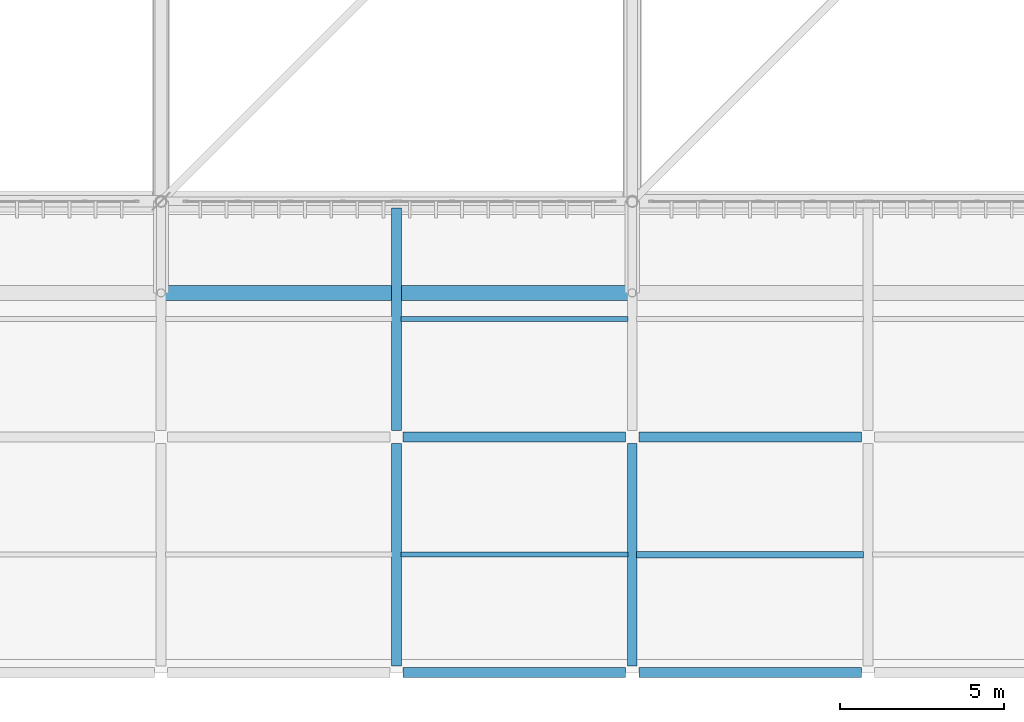
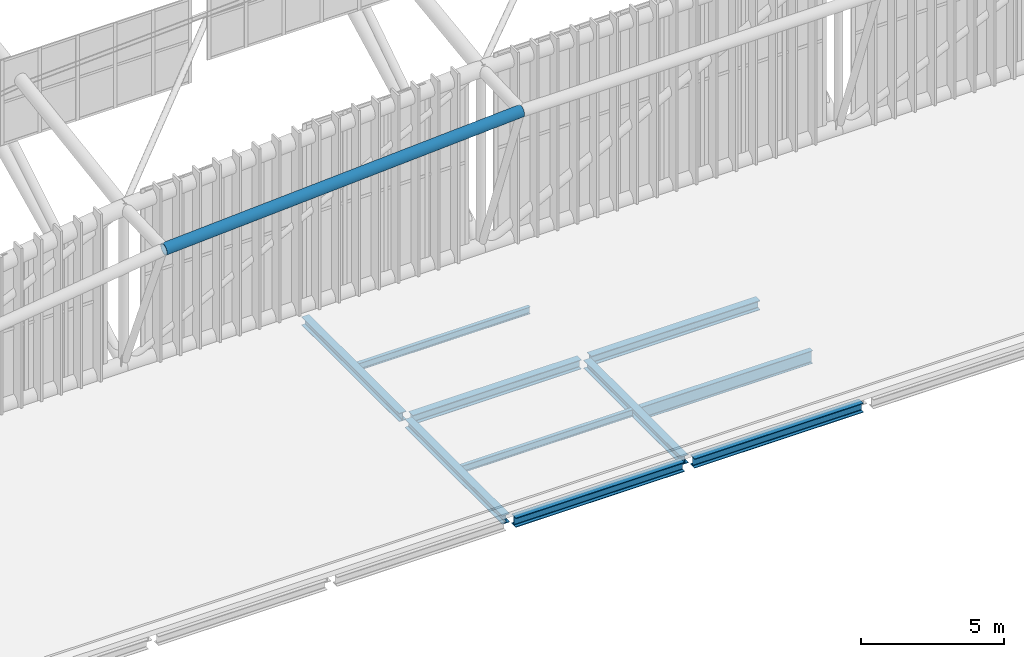
# One storey, part 23 of 397: 11 beams.
"""IFC4 building model written with IfcOpenShell, lengths in metres."""

from ifc_helpers import new_model, si_unit, direction, frame, origin, origin_2d, place, context, subcontext, project, spatial, hollow_circle, i_section, extrude, material, material_profile, profile_set, type_object, element, save


model = new_model("IFC4")

# Units and contexts
model_context = context("Model", 3, precision=1e-05, world=origin(), true_north=direction((0.0, 1.0)))
body_context = subcontext(model_context, "Body", "Model", "MODEL_VIEW")
ifc_project = project(units=[si_unit("LENGTHUNIT", "METRE"), si_unit("AREAUNIT", "SQUARE_METRE"), si_unit("VOLUMEUNIT", "CUBIC_METRE"), si_unit("PLANEANGLEUNIT", "RADIAN"), si_unit("MASSUNIT", "GRAM", prefix="KILO")], contexts=[model_context])

# Site, building, storey
site_placement = place(None, origin())
site = spatial("IfcSite", under=ifc_project, at=site_placement, CompositionType="ELEMENT")
building_placement = place(site_placement, origin())
building = spatial("IfcBuilding", under=site, at=building_placement, Name="Qandorah Velis Arena", CompositionType="ELEMENT")
storey_placement = place(building_placement, frame((0.0, 0.0, 27.5)))
storey = spatial("IfcBuildingStorey", under=building, at=storey_placement, Name="RF", CompositionType="ELEMENT", Elevation=27.5)

# Beams
ifc_material = material(Name="Steel S355", Category="steel")
ifc_material_profile_1 = material_profile(ifc_material, i_section(OverallWidth=0.300048828125, OverallDepth=0.360107421875, WebThickness=0.012451171875, FlangeThickness=0.0224609375, FilletRadius=0.027099609375, at=origin_2d()), Name="HEB 360")
ifc_profile_set_1 = profile_set([ifc_material_profile_1], Name="Steel S355")
beam_type_1 = type_object("IfcBeamType", Name="STR-BM-HEB360", PredefinedType="BEAM", material=ifc_profile_set_1)
for number, where, z_axis, x_axis, name in (
    (1, (50.39990234375, 0.199951171875, -0.39990234375), (0.0, 1.0, 0.0), (-1.0, 0.0, 0.0), "Primary floor girder RF Y-099"),
    (2, (50.39990234375, 7.39990234375, -0.39990234375), (0.0, 1.0, 0.0), (-1.0, 0.0, 0.0), "Primary floor girder RF Y-100"),
    (3, (57.60009765625, 0.199951171875, -0.39990234375), (0.0, 1.0, 0.0), (-1.0, 0.0, 0.0), "Primary floor girder RF Y-103"),
):
    element("IfcBeam", number, at=place(storey_placement, frame(where, z_axis=z_axis, x_axis=x_axis)), inside=storey, type_object=beam_type_1, Name=name, PredefinedType="BEAM", context=body_context, shape_type="SweptSolid", body=[
        extrude(i_section(OverallWidth=0.300048828125, OverallDepth=0.360107421875, WebThickness=0.012451171875, FlangeThickness=0.0224609375, FilletRadius=0.027099609375, at=origin_2d()), origin(), (0.0, 0.0, 1.0), 6.800048828125),
    ])
ifc_material_profile_2 = material_profile(ifc_material, i_section(OverallWidth=0.300048828125, OverallDepth=0.39990234375, WebThickness=0.013427734375, FlangeThickness=0.02392578125, FilletRadius=0.027099609375, at=origin_2d()), Name="HEB 400")
ifc_profile_set_2 = profile_set([ifc_material_profile_2], Name="Steel S355")
beam_type_2 = type_object("IfcBeamType", Name="STR-BM-HEB400", PredefinedType="BEAM", material=ifc_profile_set_2)
beam_1_placement = place(storey_placement, frame((50.60009765625, 0.0, -0.419921875), z_axis=(1.0, 0.0, 0.0), x_axis=(0.0, 1.0, 0.0)))
element("IfcBeam", 4, at=beam_1_placement, inside=storey, type_object=beam_type_2, Name="Primary floor girder RF X-004", PredefinedType="BEAM", context=body_context, shape_type="SweptSolid", body=[
    extrude(i_section(OverallWidth=0.300048828125, OverallDepth=0.39990234375, WebThickness=0.013427734375, FlangeThickness=0.02392578125, FilletRadius=0.027099609375, at=origin_2d()), origin(), (0.0, 0.0, 1.0), 6.7998046875),
])
beam_2_placement = place(storey_placement, frame((57.800048828125, 0.0, -0.419921875), z_axis=(1.0, 0.0, 0.0), x_axis=(0.0, 1.0, 0.0)))
element("IfcBeam", 5, at=beam_2_placement, inside=storey, type_object=beam_type_2, Name="Primary floor girder RF X-005", PredefinedType="BEAM", context=body_context, shape_type="SweptSolid", body=[
    extrude(i_section(OverallWidth=0.300048828125, OverallDepth=0.39990234375, WebThickness=0.013427734375, FlangeThickness=0.02392578125, FilletRadius=0.027099609375, at=origin_2d()), origin(), (0.0, 0.0, 1.0), 6.800048828125),
])
beam_3_placement = place(storey_placement, frame((50.60009765625, 7.199951171875, -0.419921875), z_axis=(1.0, 0.0, 0.0), x_axis=(0.0, 1.0, 0.0)))
element("IfcBeam", 6, at=beam_3_placement, inside=storey, type_object=beam_type_2, Name="Primary floor girder RF X-013", PredefinedType="BEAM", context=body_context, shape_type="SweptSolid", body=[
    extrude(i_section(OverallWidth=0.300048828125, OverallDepth=0.39990234375, WebThickness=0.013427734375, FlangeThickness=0.02392578125, FilletRadius=0.027099609375, at=origin_2d()), origin(), (0.0, 0.0, 1.0), 6.7998046875),
])
beam_4_placement = place(storey_placement, frame((57.800048828125, 7.199951171875, -0.419921875), z_axis=(1.0, 0.0, 0.0), x_axis=(0.0, 1.0, 0.0)))
element("IfcBeam", 7, at=beam_4_placement, inside=storey, type_object=beam_type_2, Name="Primary floor girder RF X-014", PredefinedType="BEAM", context=body_context, shape_type="SweptSolid", body=[
    extrude(i_section(OverallWidth=0.300048828125, OverallDepth=0.39990234375, WebThickness=0.013427734375, FlangeThickness=0.02392578125, FilletRadius=0.027099609375, at=origin_2d()), origin(), (0.0, 0.0, 1.0), 6.800048828125),
])
ifc_material_profile_3 = material_profile(ifc_material, i_section(OverallWidth=0.14990234375, OverallDepth=0.300048828125, WebThickness=0.007080078125, FlangeThickness=0.0107421875, FilletRadius=0.014892578125, at=origin_2d()), Name="IPE 300")
ifc_profile_set_3 = profile_set([ifc_material_profile_3], Name="Steel S355")
beam_type_3 = type_object("IfcBeamType", Name="STR-JST-IPE300", PredefinedType="JOIST", material=ifc_profile_set_3)
for number, where, z_axis, x_axis, name in (
    (8, (50.534912109375, 3.60009765625, -0.3701171875), (1.0, 0.0, 0.0), (0.0, 1.0, 0.0), "Secondary floor joist RF-025"),
    (9, (50.534912109375, 10.800048828125, -0.3701171875), (1.0, 0.0, 0.0), (0.0, 1.0, 0.0), "Secondary floor joist RF-026"),
):
    element("IfcBeam", number, at=place(storey_placement, frame(where, z_axis=z_axis, x_axis=x_axis)), inside=storey, type_object=beam_type_3, Name=name, PredefinedType="JOIST", context=body_context, shape_type="SweptSolid", body=[
        extrude(i_section(OverallWidth=0.14990234375, OverallDepth=0.300048828125, WebThickness=0.007080078125, FlangeThickness=0.0107421875, FilletRadius=0.014892578125, at=origin_2d()), origin(), (0.0, 0.0, 1.0), 6.93017578125),
    ])
ifc_material_profile_4 = material_profile(ifc_material, i_section(OverallWidth=0.2099609375, OverallDepth=0.550048828125, WebThickness=0.010986328125, FlangeThickness=0.01708984375, FilletRadius=0.02392578125, at=origin_2d()), Name="IPE 550")
ifc_profile_set_4 = profile_set([ifc_material_profile_4], Name="Steel S355")
beam_type_4 = type_object("IfcBeamType", Name="STR-JST-IPE550", PredefinedType="JOIST", material=ifc_profile_set_4)
beam_5_placement = place(storey_placement, frame((57.735107421875, 3.60009765625, -0.4951171875), z_axis=(1.0, 0.0, 0.0), x_axis=(0.0, 1.0, 0.0)))
element("IfcBeam", 10, at=beam_5_placement, inside=storey, type_object=beam_type_4, Name="Secondary floor joist RF-029", PredefinedType="JOIST", context=body_context, shape_type="SweptSolid", body=[
    extrude(i_section(OverallWidth=0.2099609375, OverallDepth=0.550048828125, WebThickness=0.010986328125, FlangeThickness=0.01708984375, FilletRadius=0.02392578125, at=origin_2d()), origin(), (0.0, 0.0, 1.0), 6.929931640625),
])
ifc_material_profile_5 = material_profile(ifc_material, hollow_circle(Radius=0.228515625, WallThickness=0.01611328125, at=origin_2d()), Name="CHS 457x16")
ifc_profile_set_5 = profile_set([ifc_material_profile_5], Name="Steel S355")
beam_type_5 = type_object("IfcBeamType", Name="STR-SFC-CHS457X16", PredefinedType="USERDEFINED", material=ifc_profile_set_5)
beam_6_placement = place(storey_placement, frame((43.199951171875, 11.60009765625, 6.69921875), z_axis=(0.998235051333, 0.0, 0.059386718124), x_axis=(0.0, 1.0, 0.0)))
element("IfcBeam", 11, at=beam_6_placement, inside=storey, type_object=beam_type_5, Name="Space frame eave fascia ring S-2", ObjectType="ROOF TRUSS", PredefinedType="USERDEFINED", context=body_context, shape_type="SweptSolid", body=[
    extrude(hollow_circle(Radius=0.228515625, WallThickness=0.01611328125, at=origin_2d()), origin(), (0.0, 0.0, 1.0), 14.425537109375),
])

save(model, "model.ifc")
